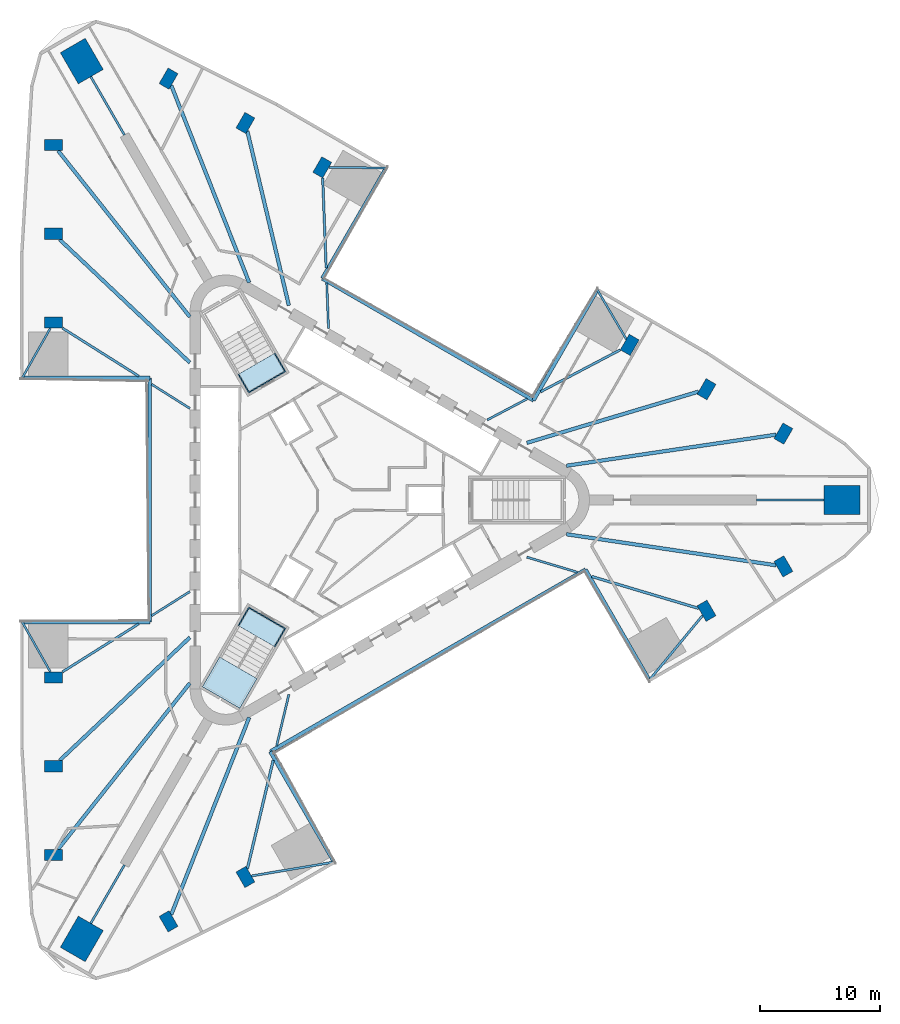
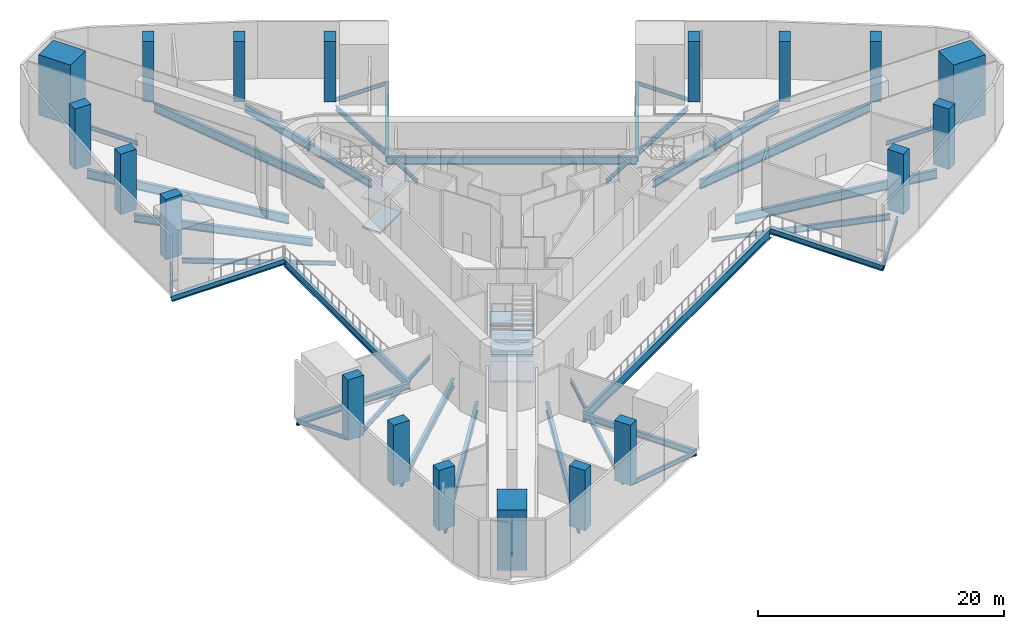
# One storey, part 1 of 11: 40 beams, 19 columns, 6 slabs, 2 elements without a shape of their own.
"""IFC4 building model written with IfcOpenShell, lengths in metres."""

from ifc_helpers import new_model, si_unit, direction, frame, origin, origin_2d, place, context, subcontext, project, spatial, polyline, rectangle, i_section, outline, extrude, material, layer, layer_set, material_profile, profile_set, type_object, element, aggregate, save


model = new_model("IFC4")

# Units and contexts
model_context = context("Model", 3, precision=1e-05, world=origin(), true_north=direction((0.0, 1.0)))
body_context = subcontext(model_context, "Body", "Model", "MODEL_VIEW")
ifc_project = project(units=[si_unit("LENGTHUNIT", "METRE"), si_unit("AREAUNIT", "SQUARE_METRE"), si_unit("VOLUMEUNIT", "CUBIC_METRE"), si_unit("PLANEANGLEUNIT", "RADIAN"), si_unit("MASSUNIT", "GRAM", prefix="KILO")], contexts=[model_context])

# Site, building, storey
site_placement = place(None, origin())
site = spatial("IfcSite", under=ifc_project, at=site_placement, CompositionType="ELEMENT")
building_placement = place(site_placement, origin())
building = spatial("IfcBuilding", under=site, at=building_placement, Name="Tanit Gate Tower", CompositionType="ELEMENT")
storey_placement = place(building_placement, frame((0.0, 0.0, 33.5)))
storey = spatial("IfcBuildingStorey", under=building, at=storey_placement, Name="L05", CompositionType="ELEMENT", Elevation=33.5)

# Columns
ifc_material_1 = material(Name="Concrete C80/95", Category="concrete")
ifc_material_profile_1 = material_profile(ifc_material_1, rectangle(XDim=3.0, YDim=2.39990234375, at=origin_2d()), Name="RC 3000x2400")
ifc_profile_set_1 = profile_set([ifc_material_profile_1], Name="Concrete C80/95")
column_type_1 = type_object("IfcColumnType", Name="MEGA COLUMN 3000x2400 C80/95", PredefinedType="COLUMN", material=ifc_profile_set_1)
for number, where, z_axis, x_axis, name in (
    (1, (42.211181640625, 0.0, 0.0), (0.0, 0.0, 1.0), (1.0, 0.0, 0.0), "MEGA COLUMN"),
    (2, (-21.105712890625, 36.555908203125, 0.0), (0.0, 0.0, 1.0), (-0.5, 0.866025403784, 0.0), "MEGA COLUMN"),
    (3, (-21.105712890625, -36.555908203125, 0.0), (0.0, 0.0, 1.0), (-0.5, -0.866025403784, 0.0), "MEGA COLUMN"),
):
    element("IfcColumn", number, at=place(storey_placement, frame(where, z_axis=z_axis, x_axis=x_axis)), inside=storey, type_object=column_type_1, Name=name, PredefinedType="COLUMN", context=body_context, shape_type="SweptSolid", body=[
        extrude(rectangle(XDim=3.0, YDim=2.39990234375, at=origin_2d()), origin(), (0.0, 0.0, 1.0), 6.0),
    ])
ifc_material_2 = material(Name="Concrete C70/85", Category="concrete")
ifc_material_profile_2 = material_profile(ifc_material_2, rectangle(XDim=1.5, YDim=0.949951171875, at=origin_2d()), Name="RC 1500x950")
ifc_profile_set_2 = profile_set([ifc_material_profile_2], Name="Concrete C70/85")
column_type_2 = type_object("IfcColumnType", Name="PERIMETER COLUMN 1500x950 C70/85", PredefinedType="COLUMN", material=ifc_profile_set_2)
for number, where, z_axis, x_axis, name in (
    (4, (-23.453369140625, 29.56591796875, 0.0), (0.0, 0.0, 1.0), (-1.0, 0.0, 0.0), "PERIMETER COLUMN"),
    (5, (-23.453369140625, 22.17431640625, 0.0), (0.0, 0.0, 1.0), (-1.0, 0.0, 0.0), "PERIMETER COLUMN"),
    (6, (-23.453369140625, 14.782958984375, 0.0), (0.0, 0.0, 1.0), (-1.0, 0.0, 0.0), "PERIMETER COLUMN"),
    (7, (-23.453369140625, -14.782958984375, 0.0), (0.0, 0.0, 1.0), (-1.0, 0.0, 0.0), "PERIMETER COLUMN"),
    (8, (-23.453369140625, -22.17431640625, 0.0), (0.0, 0.0, 1.0), (-1.0, 0.0, 0.0), "PERIMETER COLUMN"),
    (9, (-23.453369140625, -29.56591796875, 0.0), (0.0, 0.0, 1.0), (-1.0, 0.0, 0.0), "PERIMETER COLUMN"),
    (10, (37.331298828125, 5.5283203125, 0.0), (0.0, 0.0, 1.0), (0.5, 0.866025403784, 0.0), "PERIMETER COLUMN"),
    (11, (30.930419921875, 9.22412109375, 0.0), (0.0, 0.0, 1.0), (0.5, 0.866025403784, 0.0), "PERIMETER COLUMN"),
    (12, (24.529052734375, 12.919921875, 0.0), (0.0, 0.0, 1.0), (0.5, 0.866025403784, 0.0), "PERIMETER COLUMN"),
    (13, (-1.07568359375, 27.70263671875, 0.0), (0.0, 0.0, 1.0), (0.5, 0.866025403784, 0.0), "PERIMETER COLUMN"),
    (14, (-7.476806640625, 31.3984375, 0.0), (0.0, 0.0, 1.0), (0.5, 0.866025403784, 0.0), "PERIMETER COLUMN"),
    (15, (-13.8779296875, 35.093994140625, 0.0), (0.0, 0.0, 1.0), (0.5, 0.866025403784, 0.0), "PERIMETER COLUMN"),
    (16, (-13.8779296875, -35.093994140625, 0.0), (0.0, 0.0, 1.0), (0.5, -0.866025403784, 0.0), "PERIMETER COLUMN"),
    (17, (-7.476806640625, -31.3984375, 0.0), (0.0, 0.0, 1.0), (0.5, -0.866025403784, 0.0), "PERIMETER COLUMN"),
    (18, (30.930419921875, -9.22412109375, 0.0), (0.0, 0.0, 1.0), (0.5, -0.866025403784, 0.0), "PERIMETER COLUMN"),
    (19, (37.331298828125, -5.5283203125, 0.0), (0.0, 0.0, 1.0), (0.5, -0.866025403784, 0.0), "PERIMETER COLUMN"),
):
    element("IfcColumn", number, at=place(storey_placement, frame(where, z_axis=z_axis, x_axis=x_axis)), inside=storey, type_object=column_type_2, Name=name, PredefinedType="COLUMN", context=body_context, shape_type="SweptSolid", body=[
        extrude(rectangle(XDim=1.5, YDim=0.949951171875, at=origin_2d()), origin(), (0.0, 0.0, 1.0), 6.0),
    ])

# Beams
ifc_material_3 = material(Name="Steel S355", Category="steel")
ifc_material_profile_3 = material_profile(ifc_material_3, i_section(OverallWidth=0.300048828125, OverallDepth=0.590087890625, WebThickness=0.012939453125, FlangeThickness=0.02490234375, FilletRadius=0.027099609375, at=origin_2d()), Name="HEA 600")
ifc_profile_set_3 = profile_set([ifc_material_profile_3], Name="Steel S355")
beam_type_1 = type_object("IfcBeamType", Name="EDGE BEAM HEA 600 S355", PredefinedType="BEAM", material=ifc_profile_set_3)
beam_1_placement = place(storey_placement, frame((26.16259765625, -14.9951171875, -0.594970703125), z_axis=(-0.500000853759, 0.866024910866, 0.0), x_axis=(-0.866024910866, -0.500000853759, 0.0)))
element("IfcBeam", 20, at=beam_1_placement, inside=storey, type_object=beam_type_1, Name="EDGE BEAM", PredefinedType="BEAM", context=body_context, shape_type="SweptSolid", body=[
    extrude(i_section(OverallWidth=0.300048828125, OverallDepth=0.590087890625, WebThickness=0.012939453125, FlangeThickness=0.02490234375, FilletRadius=0.027099609375, at=origin_2d()), origin(), (0.0, 0.0, 1.0), 10.62744140625),
])
beam_2_placement = place(storey_placement, frame((-5.408935546875, -20.951416015625, -0.594970703125), z_axis=(0.500000139537, -0.866025323223, 0.0), x_axis=(0.866025323223, 0.500000139537, 0.0)))
element("IfcBeam", 21, at=beam_2_placement, inside=storey, type_object=beam_type_1, Name="EDGE BEAM", PredefinedType="BEAM", context=body_context, shape_type="SweptSolid", body=[
    extrude(i_section(OverallWidth=0.300048828125, OverallDepth=0.590087890625, WebThickness=0.012939453125, FlangeThickness=0.02490234375, FilletRadius=0.027099609375, at=origin_2d()), origin(), (0.0, 0.0, 1.0), 10.62939453125),
])
beam_3_placement = place(storey_placement, frame((-26.067626953125, -10.159912109375, -0.594970703125), z_axis=(1.0, 0.0, 0.0), x_axis=(0.0, 1.0, 0.0)))
element("IfcBeam", 22, at=beam_3_placement, inside=storey, type_object=beam_type_1, Name="EDGE BEAM", PredefinedType="BEAM", context=body_context, shape_type="SweptSolid", body=[
    extrude(i_section(OverallWidth=0.300048828125, OverallDepth=0.590087890625, WebThickness=0.012939453125, FlangeThickness=0.02490234375, FilletRadius=0.027099609375, at=origin_2d()), origin(), (0.0, 0.0, 1.0), 10.627685546875),
])
beam_4_placement = place(storey_placement, frame((-15.43994140625, 10.159912109375, -0.594970703125), z_axis=(-1.0, 0.0, 0.0), x_axis=(0.0, -1.0, 0.0)))
element("IfcBeam", 23, at=beam_4_placement, inside=storey, type_object=beam_type_1, Name="EDGE BEAM", PredefinedType="BEAM", context=body_context, shape_type="SweptSolid", body=[
    extrude(i_section(OverallWidth=0.300048828125, OverallDepth=0.590087890625, WebThickness=0.012939453125, FlangeThickness=0.02490234375, FilletRadius=0.027099609375, at=origin_2d()), origin(), (0.0, 0.0, 1.0), 10.629150390625),
])
beam_5_placement = place(storey_placement, frame((4.235107421875, 27.6552734375, -0.594970703125), z_axis=(-0.500008135536, -0.866020706679, 0.0), x_axis=(0.866020706679, -0.500008135536, 0.0)))
element("IfcBeam", 24, at=beam_5_placement, inside=storey, type_object=beam_type_1, Name="EDGE BEAM", PredefinedType="BEAM", context=body_context, shape_type="SweptSolid", body=[
    extrude(i_section(OverallWidth=0.300048828125, OverallDepth=0.590087890625, WebThickness=0.012939453125, FlangeThickness=0.02490234375, FilletRadius=0.027099609375, at=origin_2d()), origin(), (0.0, 0.0, 1.0), 10.627685546875),
])
beam_6_placement = place(storey_placement, frame((16.518798828125, 8.29150390625, -0.594970703125), z_axis=(0.500010085333, 0.866019580936, 0.0), x_axis=(-0.866019580936, 0.500010085333, 0.0)))
element("IfcBeam", 25, at=beam_6_placement, inside=storey, type_object=beam_type_1, Name="EDGE BEAM", PredefinedType="BEAM", context=body_context, shape_type="SweptSolid", body=[
    extrude(i_section(OverallWidth=0.300048828125, OverallDepth=0.590087890625, WebThickness=0.012939453125, FlangeThickness=0.02490234375, FilletRadius=0.027099609375, at=origin_2d()), origin(), (0.0, 0.0, 1.0), 10.629150390625),
])
ifc_material_4 = material(Name="Steel S355", Category="steel")
ifc_material_profile_4 = material_profile(ifc_material_4, i_section(OverallWidth=0.300048828125, OverallDepth=0.7900390625, WebThickness=0.014892578125, FlangeThickness=0.028076171875, FilletRadius=0.030029296875, at=origin_2d()), Name="HEA 800")
ifc_profile_set_4 = profile_set([ifc_material_profile_4], Name="Steel S355")
beam_type_2 = type_object("IfcBeamType", Name="EDGE BEAM HEA 800 S355", PredefinedType="BEAM", material=ifc_profile_set_4)
beam_7_placement = place(storey_placement, frame((-15.43994140625, -10.159912109375, -0.695068359375), z_axis=(0.0, 1.0, 0.0), x_axis=(-1.0, 0.0, 0.0)))
element("IfcBeam", 26, at=beam_7_placement, inside=storey, type_object=beam_type_2, Name="EDGE BEAM", PredefinedType="BEAM", context=body_context, shape_type="SweptSolid", body=[
    extrude(i_section(OverallWidth=0.300048828125, OverallDepth=0.7900390625, WebThickness=0.014892578125, FlangeThickness=0.028076171875, FilletRadius=0.030029296875, at=origin_2d()), origin(), (0.0, 0.0, 1.0), 20.31982421875),
])
beam_8_placement = place(storey_placement, frame((-1.078857421875, 18.451416015625, -0.695068359375), z_axis=(0.866027523318, -0.499996328842, 0.0), x_axis=(0.499996328842, 0.866027523318, 0.0)))
element("IfcBeam", 27, at=beam_8_placement, inside=storey, type_object=beam_type_2, Name="EDGE BEAM", PredefinedType="BEAM", context=body_context, shape_type="SweptSolid", body=[
    extrude(i_section(OverallWidth=0.300048828125, OverallDepth=0.7900390625, WebThickness=0.014892578125, FlangeThickness=0.028076171875, FilletRadius=0.030029296875, at=origin_2d()), origin(), (0.0, 0.0, 1.0), 20.320068359375),
])
ifc_material_5 = material(Name="Steel S355", Category="steel")
ifc_material_profile_5 = material_profile(ifc_material_5, i_section(OverallWidth=0.300048828125, OverallDepth=1.0, WebThickness=0.01904296875, FlangeThickness=0.035888671875, FilletRadius=0.030029296875, at=origin_2d()), Name="HEB 1000")
ifc_profile_set_5 = profile_set([ifc_material_profile_5], Name="Steel S355")
beam_type_3 = type_object("IfcBeamType", Name="EDGE BEAM HEB 1000 S355", PredefinedType="BEAM", material=ifc_profile_set_5)
beam_9_placement = place(storey_placement, frame((20.848876953125, -5.79150390625, -0.800048828125), z_axis=(-0.86602601797, -0.499998936197, 0.0), x_axis=(0.499998936197, -0.86602601797, 0.0)))
element("IfcBeam", 28, at=beam_9_placement, inside=storey, type_object=beam_type_3, Name="EDGE BEAM", PredefinedType="BEAM", context=body_context, shape_type="SweptSolid", body=[
    extrude(i_section(OverallWidth=0.300048828125, OverallDepth=1.0, WebThickness=0.01904296875, FlangeThickness=0.035888671875, FilletRadius=0.030029296875, at=origin_2d()), origin(), (0.0, 0.0, 1.0), 30.31982421875),
])
ifc_material_6 = material(Name="Steel S355", Category="steel")
ifc_material_profile_6 = material_profile(ifc_material_6, i_section(OverallWidth=0.300048828125, OverallDepth=0.7900390625, WebThickness=0.014892578125, FlangeThickness=0.028076171875, FilletRadius=0.030029296875, at=origin_2d()), Name="HEA 800")
ifc_profile_set_6 = profile_set([ifc_material_profile_6], Name="Steel S355")
beam_type_4 = type_object("IfcBeamType", Name="RADIAL GIRDER HEA 800 S355", PredefinedType="BEAM", material=ifc_profile_set_6)
for number, where, z_axis, x_axis, name in (
    (29, (-22.950927734375, -21.69921875, -0.695068359375), (0.726639827007, 0.687018603683, 0.0), (-0.687018603683, 0.726639827007, 0.0), "RADIAL GIRDER"),
    (30, (30.267578125, 9.026611328125, -0.695068359375), (-0.958292632116, -0.285788787801, 0.0), (0.285788787801, -0.958292632116, 0.0), "RADIAL GIRDER"),
):
    element("IfcBeam", number, at=place(storey_placement, frame(where, z_axis=z_axis, x_axis=x_axis)), inside=storey, type_object=beam_type_4, Name=name, PredefinedType="BEAM", context=body_context, shape_type="SweptSolid", body=[
        extrude(i_section(OverallWidth=0.300048828125, OverallDepth=0.7900390625, WebThickness=0.014892578125, FlangeThickness=0.028076171875, FilletRadius=0.030029296875, at=origin_2d()), origin(), (0.0, 0.0, 1.0), 14.93017578125),
    ])
beam_10_placement = place(storey_placement, frame((-7.316650390625, 30.725830078125, -0.695068359375), z_axis=(0.231658845557, -0.972797090495, 0.0), x_axis=(0.972797090495, 0.231658845557, 0.0)))
element("IfcBeam", 31, at=beam_10_placement, inside=storey, type_object=beam_type_4, Name="RADIAL GIRDER", PredefinedType="BEAM", context=body_context, shape_type="SweptSolid", body=[
    extrude(i_section(OverallWidth=0.300048828125, OverallDepth=0.7900390625, WebThickness=0.014892578125, FlangeThickness=0.028076171875, FilletRadius=0.030029296875, at=origin_2d()), origin(), (0.0, 0.0, 1.0), 14.930419921875),
])
beam_11_placement = place(storey_placement, frame((-22.950927734375, 21.69921875, -0.695068359375), z_axis=(0.726639827007, -0.687018603683, 0.0), x_axis=(0.687018603683, 0.726639827007, 0.0)))
element("IfcBeam", 32, at=beam_11_placement, inside=storey, type_object=beam_type_4, Name="RADIAL GIRDER", PredefinedType="BEAM", context=body_context, shape_type="SweptSolid", body=[
    extrude(i_section(OverallWidth=0.300048828125, OverallDepth=0.7900390625, WebThickness=0.014892578125, FlangeThickness=0.028076171875, FilletRadius=0.030029296875, at=origin_2d()), origin(), (0.0, 0.0, 1.0), 14.93017578125),
])
ifc_material_7 = material(Name="Steel S355", Category="steel")
ifc_material_profile_7 = material_profile(ifc_material_7, i_section(OverallWidth=0.300048828125, OverallDepth=0.889892578125, WebThickness=0.01611328125, FlangeThickness=0.030029296875, FilletRadius=0.030029296875, at=origin_2d()), Name="HEA 900")
ifc_profile_set_7 = profile_set([ifc_material_profile_7], Name="Steel S355")
beam_type_5 = type_object("IfcBeamType", Name="RADIAL GIRDER HEA 900 S355", PredefinedType="BEAM", material=ifc_profile_set_7)
for number, where, z_axis, x_axis, name in (
    (33, (-23.07666015625, -29.0908203125, -0.7451171875), (0.621472845829, 0.783435703742, 0.0), (-0.783435703742, 0.621472845829, 0.0), "RADIAL GIRDER"),
    (34, (-13.655029296875, -34.5302734375, -0.7451171875), (0.36773841244, 0.929929276889, 0.0), (-0.929929276889, 0.36773841244, 0.0), "RADIAL GIRDER"),
    (35, (36.731689453125, -5.439697265625, -0.7451171875), (-0.98921177448, 0.146492543254, 0.0), (-0.146492543254, -0.98921177448, 0.0), "RADIAL GIRDER"),
    (36, (36.731689453125, 5.439697265625, -0.7451171875), (-0.98921177448, -0.146492543254, 0.0), (0.146492543254, -0.98921177448, 0.0), "RADIAL GIRDER"),
    (37, (-13.655029296875, 34.5302734375, -0.7451171875), (0.36773841244, -0.929929276889, 0.0), (0.929929276889, 0.36773841244, 0.0), "RADIAL GIRDER"),
    (38, (-23.07666015625, 29.0908203125, -0.7451171875), (0.621472845829, -0.783435703742, 0.0), (0.783435703742, 0.621472845829, 0.0), "RADIAL GIRDER"),
):
    element("IfcBeam", number, at=place(storey_placement, frame(where, z_axis=z_axis, x_axis=x_axis)), inside=storey, type_object=beam_type_5, Name=name, PredefinedType="BEAM", context=body_context, shape_type="SweptSolid", body=[
        extrude(i_section(OverallWidth=0.300048828125, OverallDepth=0.889892578125, WebThickness=0.01611328125, FlangeThickness=0.030029296875, FilletRadius=0.030029296875, at=origin_2d()), origin(), (0.0, 0.0, 1.0), 17.658935546875),
    ])
ifc_material_8 = material(Name="Steel S355", Category="steel")
ifc_material_profile_8 = material_profile(ifc_material_8, i_section(OverallWidth=0.179931640625, OverallDepth=0.39990234375, WebThickness=0.008544921875, FlangeThickness=0.013427734375, FilletRadius=0.02099609375, at=origin_2d()), Name="IPE 400")
ifc_profile_set_8 = profile_set([ifc_material_profile_8], Name="Steel S355")
beam_type_6 = type_object("IfcBeamType", Name="RADIAL GIRDER IPE 400 S355", PredefinedType="BEAM", material=ifc_profile_set_8)
beam_12_placement = place(storey_placement, frame((-15.291748046875, -9.638427734375, -0.5), z_axis=(0.845973226432, 0.53322537464, 0.0), x_axis=(-0.53322537464, 0.845973226432, 0.0)))
element("IfcBeam", 39, at=beam_12_placement, inside=storey, type_object=beam_type_6, Name="RADIAL GIRDER", PredefinedType="BEAM", context=body_context, shape_type="SweptSolid", body=[
    extrude(i_section(OverallWidth=0.179931640625, OverallDepth=0.39990234375, WebThickness=0.008544921875, FlangeThickness=0.013427734375, FilletRadius=0.02099609375, at=origin_2d()), origin(), (0.0, 0.0, 1.0), 3.7705078125),
])
beam_13_placement = place(storey_placement, frame((-20.355712890625, -35.257080078125, -0.5), z_axis=(0.500016430238, 0.866015917575, 0.0), x_axis=(-0.866015917575, 0.500016430238, 0.0)))
element("IfcBeam", 40, at=beam_13_placement, inside=storey, type_object=beam_type_6, Name="RADIAL GIRDER", PredefinedType="BEAM", context=body_context, shape_type="SweptSolid", body=[
    extrude(i_section(OverallWidth=0.179931640625, OverallDepth=0.39990234375, WebThickness=0.008544921875, FlangeThickness=0.013427734375, FilletRadius=0.02099609375, at=origin_2d()), origin(), (0.0, 0.0, 1.0), 5.607177734375),
])
beam_14_placement = place(storey_placement, frame((-4.874755859375, -20.471435546875, -0.5), z_axis=(0.231670659503, 0.972794277083, 0.0), x_axis=(-0.972794277083, 0.231670659503, 0.0)))
element("IfcBeam", 41, at=beam_14_placement, inside=storey, type_object=beam_type_6, Name="RADIAL GIRDER", PredefinedType="BEAM", context=body_context, shape_type="SweptSolid", body=[
    extrude(i_section(OverallWidth=0.179931640625, OverallDepth=0.39990234375, WebThickness=0.008544921875, FlangeThickness=0.013427734375, FilletRadius=0.02099609375, at=origin_2d()), origin(), (0.0, 0.0, 1.0), 4.38916015625),
])
beam_15_placement = place(storey_placement, frame((20.164306640625, -6.013427734375, -0.5), z_axis=(-0.958299792867, 0.285764775631, 0.0), x_axis=(-0.285764775631, -0.958299792867, 0.0)))
element("IfcBeam", 42, at=beam_15_placement, inside=storey, type_object=beam_type_6, Name="RADIAL GIRDER", PredefinedType="BEAM", context=body_context, shape_type="SweptSolid", body=[
    extrude(i_section(OverallWidth=0.179931640625, OverallDepth=0.39990234375, WebThickness=0.008544921875, FlangeThickness=0.013427734375, FilletRadius=0.02099609375, at=origin_2d()), origin(), (0.0, 0.0, 1.0), 4.386962890625),
])
beam_16_placement = place(storey_placement, frame((40.711181640625, 0.0, -0.5), z_axis=(-1.0, 0.0, 0.0), x_axis=(0.0, -1.0, 0.0)))
element("IfcBeam", 43, at=beam_16_placement, inside=storey, type_object=beam_type_6, Name="RADIAL GIRDER", PredefinedType="BEAM", context=body_context, shape_type="SweptSolid", body=[
    extrude(i_section(OverallWidth=0.179931640625, OverallDepth=0.39990234375, WebThickness=0.008544921875, FlangeThickness=0.013427734375, FilletRadius=0.02099609375, at=origin_2d()), origin(), (0.0, 0.0, 1.0), 5.607177734375),
])
for number, where, z_axis, x_axis, name in (
    (44, (15.9912109375, 8.4228515625, -0.5), (-0.884755154197, -0.46605613087, 0.0), (0.46605613087, -0.884755154197, 0.0), "RADIAL GIRDER"),
    (45, (-0.701416015625, 18.060302734375, -0.5), (0.038806328041, -0.99924675076, 0.0), (0.99924675076, 0.038806328041, 0.0), "RADIAL GIRDER"),
):
    element("IfcBeam", number, at=place(storey_placement, frame(where, z_axis=z_axis, x_axis=x_axis)), inside=storey, type_object=beam_type_6, Name=name, PredefinedType="BEAM", context=body_context, shape_type="SweptSolid", body=[
        extrude(i_section(OverallWidth=0.179931640625, OverallDepth=0.39990234375, WebThickness=0.008544921875, FlangeThickness=0.013427734375, FilletRadius=0.02099609375, at=origin_2d()), origin(), (0.0, 0.0, 1.0), 3.7685546875),
    ])
beam_17_placement = place(storey_placement, frame((-20.355712890625, 35.257080078125, -0.5), z_axis=(0.500016430238, -0.866015917575, 0.0), x_axis=(0.866015917575, 0.500016430238, 0.0)))
element("IfcBeam", 46, at=beam_17_placement, inside=storey, type_object=beam_type_6, Name="RADIAL GIRDER", PredefinedType="BEAM", context=body_context, shape_type="SweptSolid", body=[
    extrude(i_section(OverallWidth=0.179931640625, OverallDepth=0.39990234375, WebThickness=0.008544921875, FlangeThickness=0.013427734375, FilletRadius=0.02099609375, at=origin_2d()), origin(), (0.0, 0.0, 1.0), 5.607177734375),
])
beam_18_placement = place(storey_placement, frame((-15.291748046875, 9.638427734375, -0.5), z_axis=(0.845973226432, -0.53322537464, 0.0), x_axis=(0.53322537464, 0.845973226432, 0.0)))
element("IfcBeam", 47, at=beam_18_placement, inside=storey, type_object=beam_type_6, Name="RADIAL GIRDER", PredefinedType="BEAM", context=body_context, shape_type="SweptSolid", body=[
    extrude(i_section(OverallWidth=0.179931640625, OverallDepth=0.39990234375, WebThickness=0.008544921875, FlangeThickness=0.013427734375, FilletRadius=0.02099609375, at=origin_2d()), origin(), (0.0, 0.0, 1.0), 3.7705078125),
])
ifc_material_9 = material(Name="Steel S355", Category="steel")
ifc_material_profile_9 = material_profile(ifc_material_9, i_section(OverallWidth=0.199951171875, OverallDepth=0.5, WebThickness=0.01025390625, FlangeThickness=0.01611328125, FilletRadius=0.02099609375, at=origin_2d()), Name="IPE 500")
ifc_profile_set_9 = profile_set([ifc_material_profile_9], Name="Steel S355")
beam_type_7 = type_object("IfcBeamType", Name="RADIAL GIRDER IPE 500 S355", PredefinedType="BEAM", material=ifc_profile_set_9)
beam_19_placement = place(storey_placement, frame((-22.705078125, -14.311279296875, -0.550048828125), z_axis=(0.845977927567, 0.533217916118, 0.0), x_axis=(-0.533217916118, 0.845977927567, 0.0)))
element("IfcBeam", 48, at=beam_19_placement, inside=storey, type_object=beam_type_7, Name="RADIAL GIRDER", PredefinedType="BEAM", context=body_context, shape_type="SweptSolid", body=[
    extrude(i_section(OverallWidth=0.199951171875, OverallDepth=0.5, WebThickness=0.01025390625, FlangeThickness=0.01611328125, FilletRadius=0.02099609375, at=origin_2d()), origin(), (0.0, 0.0, 1.0), 7.50390625),
])
for number, where, z_axis, x_axis, name in (
    (49, (23.74462890625, 12.506591796875, -0.550048828125), (-0.884769930034, -0.466028079527, 0.0), (0.466028079527, -0.884769930034, 0.0), "RADIAL GIRDER"),
    (50, (-1.041259765625, 26.81689453125, -0.550048828125), (0.038791818871, -0.999247314126, 0.0), (0.999247314126, 0.038791818871, 0.0), "RADIAL GIRDER"),
):
    element("IfcBeam", number, at=place(storey_placement, frame(where, z_axis=z_axis, x_axis=x_axis)), inside=storey, type_object=beam_type_7, Name=name, PredefinedType="BEAM", context=body_context, shape_type="SweptSolid", body=[
        extrude(i_section(OverallWidth=0.199951171875, OverallDepth=0.5, WebThickness=0.01025390625, FlangeThickness=0.01611328125, FilletRadius=0.02099609375, at=origin_2d()), origin(), (0.0, 0.0, 1.0), 7.501953125),
    ])
beam_20_placement = place(storey_placement, frame((-22.705078125, 14.311279296875, -0.550048828125), z_axis=(0.845977927567, -0.533217916118, 0.0), x_axis=(0.533217916118, 0.845977927567, 0.0)))
element("IfcBeam", 51, at=beam_20_placement, inside=storey, type_object=beam_type_7, Name="RADIAL GIRDER", PredefinedType="BEAM", context=body_context, shape_type="SweptSolid", body=[
    extrude(i_section(OverallWidth=0.199951171875, OverallDepth=0.5, WebThickness=0.01025390625, FlangeThickness=0.01611328125, FilletRadius=0.02099609375, at=origin_2d()), origin(), (0.0, 0.0, 1.0), 7.50390625),
])
ifc_material_10 = material(Name="Steel S355", Category="steel")
ifc_material_profile_10 = material_profile(ifc_material_10, i_section(OverallWidth=0.219970703125, OverallDepth=0.60009765625, WebThickness=0.011962890625, FlangeThickness=0.01904296875, FilletRadius=0.02392578125, at=origin_2d()), Name="IPE 600")
ifc_profile_set_10 = profile_set([ifc_material_profile_10], Name="Steel S355")
beam_type_8 = type_object("IfcBeamType", Name="RADIAL GIRDER IPE 600 S355", PredefinedType="BEAM", material=ifc_profile_set_10)
for number, where, z_axis, x_axis, name in (
    (52, (-7.316650390625, -30.725830078125, -0.60009765625), (0.231643004364, 0.97280086273, 0.0), (-0.97280086273, 0.231643004364, 0.0), "RADIAL GIRDER"),
    (53, (30.267578125, -9.026611328125, -0.60009765625), (-0.958288896011, 0.285801315222, 0.0), (-0.285801315222, -0.958288896011, 0.0), "RADIAL GIRDER"),
):
    element("IfcBeam", number, at=place(storey_placement, frame(where, z_axis=z_axis, x_axis=x_axis)), inside=storey, type_object=beam_type_8, Name=name, PredefinedType="BEAM", context=body_context, shape_type="SweptSolid", body=[
        extrude(i_section(OverallWidth=0.219970703125, OverallDepth=0.60009765625, WebThickness=0.011962890625, FlangeThickness=0.01904296875, FilletRadius=0.02392578125, at=origin_2d()), origin(), (0.0, 0.0, 1.0), 9.300048828125),
    ])
ifc_material_11 = material(Name="Steel S355", Category="steel")
ifc_material_profile_11 = material_profile(ifc_material_11, i_section(OverallWidth=0.169921875, OverallDepth=0.360107421875, WebThickness=0.008056640625, FlangeThickness=0.0126953125, FilletRadius=0.01806640625, at=origin_2d()), Name="IPE 360")
ifc_profile_set_11 = profile_set([ifc_material_profile_11], Name="Steel S355")
beam_type_9 = type_object("IfcBeamType", Name="RING BEAM IPE 360 S355", PredefinedType="BEAM", material=ifc_profile_set_11)
beam_21_placement = place(storey_placement, frame((-26.067626953125, -10.159912109375, -0.47998046875), z_axis=(0.49224969988, -0.870454038401, 0.0), x_axis=(0.870454038401, 0.49224969988, 0.0)))
element("IfcBeam", 54, at=beam_21_placement, inside=storey, type_object=beam_type_9, Name="RING BEAM", PredefinedType="BEAM", context=body_context, shape_type="SweptSolid", body=[
    extrude(i_section(OverallWidth=0.169921875, OverallDepth=0.360107421875, WebThickness=0.008056640625, FlangeThickness=0.0126953125, FilletRadius=0.01806640625, at=origin_2d()), origin(), (0.0, 0.0, 1.0), 4.765380859375),
])
beam_22_placement = place(storey_placement, frame((-26.069091796875, 10.159912109375, -0.47998046875), z_axis=(0.492443758084, 0.870344268163, 0.0), x_axis=(-0.870344268163, 0.492443758084, 0.0)))
element("IfcBeam", 55, at=beam_22_placement, inside=storey, type_object=beam_type_9, Name="RING BEAM", PredefinedType="BEAM", context=body_context, shape_type="SweptSolid", body=[
    extrude(i_section(OverallWidth=0.169921875, OverallDepth=0.360107421875, WebThickness=0.008056640625, FlangeThickness=0.0126953125, FilletRadius=0.01806640625, at=origin_2d()), origin(), (0.0, 0.0, 1.0), 4.765869140625),
])
beam_23_placement = place(storey_placement, frame((4.235107421875, 27.6552734375, -0.47998046875), z_axis=(-0.999960265112, 0.008914493602, 0.0), x_axis=(-0.008914493602, -0.999960265112, 0.0)))
element("IfcBeam", 56, at=beam_23_placement, inside=storey, type_object=beam_type_9, Name="RING BEAM", PredefinedType="BEAM", context=body_context, shape_type="SweptSolid", body=[
    extrude(i_section(OverallWidth=0.169921875, OverallDepth=0.360107421875, WebThickness=0.008056640625, FlangeThickness=0.0126953125, FilletRadius=0.01806640625, at=origin_2d()), origin(), (0.0, 0.0, 1.0), 4.765380859375),
])
beam_24_placement = place(storey_placement, frame((21.83349609375, 17.49658203125, -0.47998046875), z_axis=(0.507510326773, -0.861645674404, 0.0), x_axis=(0.861645674404, 0.507510326773, 0.0)))
element("IfcBeam", 57, at=beam_24_placement, inside=storey, type_object=beam_type_9, Name="RING BEAM", PredefinedType="BEAM", context=body_context, shape_type="SweptSolid", body=[
    extrude(i_section(OverallWidth=0.169921875, OverallDepth=0.360107421875, WebThickness=0.008056640625, FlangeThickness=0.0126953125, FilletRadius=0.01806640625, at=origin_2d()), origin(), (0.0, 0.0, 1.0), 4.765869140625),
])
ifc_material_12 = material(Name="Steel S355", Category="steel")
ifc_material_profile_12 = material_profile(ifc_material_12, i_section(OverallWidth=0.18994140625, OverallDepth=0.449951171875, WebThickness=0.009521484375, FlangeThickness=0.0146484375, FilletRadius=0.02099609375, at=origin_2d()), Name="IPE 450")
ifc_profile_set_12 = profile_set([ifc_material_profile_12], Name="Steel S355")
beam_type_10 = type_object("IfcBeamType", Name="RING BEAM IPE 450 S355", PredefinedType="BEAM", material=ifc_profile_set_12)
beam_25_placement = place(storey_placement, frame((26.16259765625, -14.9951171875, -0.52490234375), z_axis=(0.636913089012, 0.770935611478, 0.0), x_axis=(-0.770935611478, 0.636913089012, 0.0)))
element("IfcBeam", 58, at=beam_25_placement, inside=storey, type_object=beam_type_10, Name="RING BEAM", PredefinedType="BEAM", context=body_context, shape_type="SweptSolid", body=[
    extrude(i_section(OverallWidth=0.18994140625, OverallDepth=0.449951171875, WebThickness=0.009521484375, FlangeThickness=0.0146484375, FilletRadius=0.02099609375, at=origin_2d()), origin(), (0.0, 0.0, 1.0), 6.978759765625),
])
beam_26_placement = place(storey_placement, frame((-0.09423828125, -30.15673828125, -0.52490234375), z_axis=(-0.986151777339, -0.165845325684, 0.0), x_axis=(0.165845325684, -0.986151777339, 0.0)))
element("IfcBeam", 59, at=beam_26_placement, inside=storey, type_object=beam_type_10, Name="RING BEAM", PredefinedType="BEAM", context=body_context, shape_type="SweptSolid", body=[
    extrude(i_section(OverallWidth=0.18994140625, OverallDepth=0.449951171875, WebThickness=0.009521484375, FlangeThickness=0.0146484375, FilletRadius=0.02099609375, at=origin_2d()), origin(), (0.0, 0.0, 1.0), 6.979248046875),
])

# Stair, slab
ifc_material_13 = material(Name="Concrete C40/50", Category="concrete")
stair_type = type_object("IfcStairType", Name="INT-STAIR-EXIT", PredefinedType="HALF_TURN_STAIR", material=ifc_material_13)
stair_1_placement = place(storey_placement, origin())
stair_1 = element("IfcStair", 60, at=stair_1_placement, inside=storey, type_object=stair_type, Name="L05 STAIR S2", PredefinedType="HALF_TURN_STAIR")
ifc_material_14 = material(Name="Concrete C40/50", Category="concrete")
ifc_layer = layer(ifc_material_14, 0.199951171875)
ifc_layer_set = layer_set([ifc_layer], Name="INT-STAIR-LANDING")
slab_type = type_object("IfcSlabType", Name="INT-STAIR-LANDING", PredefinedType="LANDING", material=ifc_layer_set)
slab_1_placement = place(storey_placement, frame((0.0, 0.0, 2.800048828125)))
slab_1 = element("IfcSlab", 61, at=slab_1_placement, type_object=slab_type, Name="S2 landing 2", PredefinedType="LANDING", context=body_context, shape_type="SweptSolid", body=[
    extrude(outline(polyline([(-4.091064453125, 10.68603515625), (-4.9931640625, 12.248291015625), (-8.11083984375, 10.448486328125), (-7.208740234375, 8.885986328125), (-4.091064453125, 10.68603515625)])), origin(), (0.0, 0.0, 1.0), 0.199951171875),
])
aggregate(stair_1, [slab_1])

# Slab
slab_2_placement = place(storey_placement, frame((0.0, 0.0, -0.199951171875)))
element("IfcSlab", 62, at=slab_2_placement, inside=storey, type_object=slab_type, Name="S2 floor landing", PredefinedType="LANDING", context=body_context, shape_type="SweptSolid", body=[
    extrude(outline(polyline([(-4.200439453125, 10.71533203125), (-5.0625, 12.20849609375), (-8.04150390625, 10.48828125), (-7.179443359375, 8.995361328125), (-4.200439453125, 10.71533203125)])), origin(), (0.0, 0.0, 1.0), 0.199951171875),
])

# Stair, slabs
stair_2_placement = place(storey_placement, origin())
stair_2 = element("IfcStair", 63, at=stair_2_placement, inside=storey, type_object=stair_type, Name="L05 STAIR S3", PredefinedType="HALF_TURN_STAIR")
slab_3_placement = place(storey_placement, frame((0.0, 0.0, 1.300048828125)))
slab_3 = element("IfcSlab", 64, at=slab_3_placement, type_object=slab_type, Name="S3 landing 1", PredefinedType="LANDING", context=body_context, shape_type="SweptSolid", body=[
    extrude(outline(polyline([(-9.626953125, -13.07421875), (-11.058837890625, -15.554443359375), (-7.941162109375, -17.3544921875), (-6.509033203125, -14.874267578125), (-9.626953125, -13.07421875)])), origin(), (0.0, 0.0, 1.0), 0.199951171875),
])
slab_4_placement = place(storey_placement, frame((0.0, 0.0, 2.800048828125)))
slab_4 = element("IfcSlab", 65, at=slab_4_placement, type_object=slab_type, Name="S3 landing 2", PredefinedType="LANDING", context=body_context, shape_type="SweptSolid", body=[
    extrude(outline(polyline([(-7.208740234375, -8.885986328125), (-8.111328125, -10.44921875), (-4.99365234375, -12.249267578125), (-4.091064453125, -10.68603515625), (-7.208740234375, -8.885986328125)])), origin(), (0.0, 0.0, 1.0), 0.199951171875),
])
slab_5_placement = place(storey_placement, frame((0.0, 0.0, 4.300048828125)))
slab_5 = element("IfcSlab", 66, at=slab_5_placement, type_object=slab_type, Name="S3 landing 3", PredefinedType="LANDING", context=body_context, shape_type="SweptSolid", body=[
    extrude(outline(polyline([(-9.626953125, -13.07421875), (-11.058837890625, -15.554443359375), (-7.941162109375, -17.3544921875), (-6.509033203125, -14.874267578125), (-9.626953125, -13.07421875)])), origin(), (0.0, 0.0, 1.0), 0.199951171875),
])
aggregate(stair_2, [slab_3, slab_4, slab_5])

# Slab
slab_6_placement = place(storey_placement, frame((0.0, 0.0, -0.199951171875)))
element("IfcSlab", 67, at=slab_6_placement, inside=storey, type_object=slab_type, Name="S3 floor landing", PredefinedType="LANDING", context=body_context, shape_type="SweptSolid", body=[
    extrude(outline(polyline([(-7.179443359375, -8.995361328125), (-8.0419921875, -10.4892578125), (-5.06298828125, -12.209228515625), (-4.200439453125, -10.71533203125), (-7.179443359375, -8.995361328125)])), origin(), (0.0, 0.0, 1.0), 0.199951171875),
])

save(model, "model.ifc")
